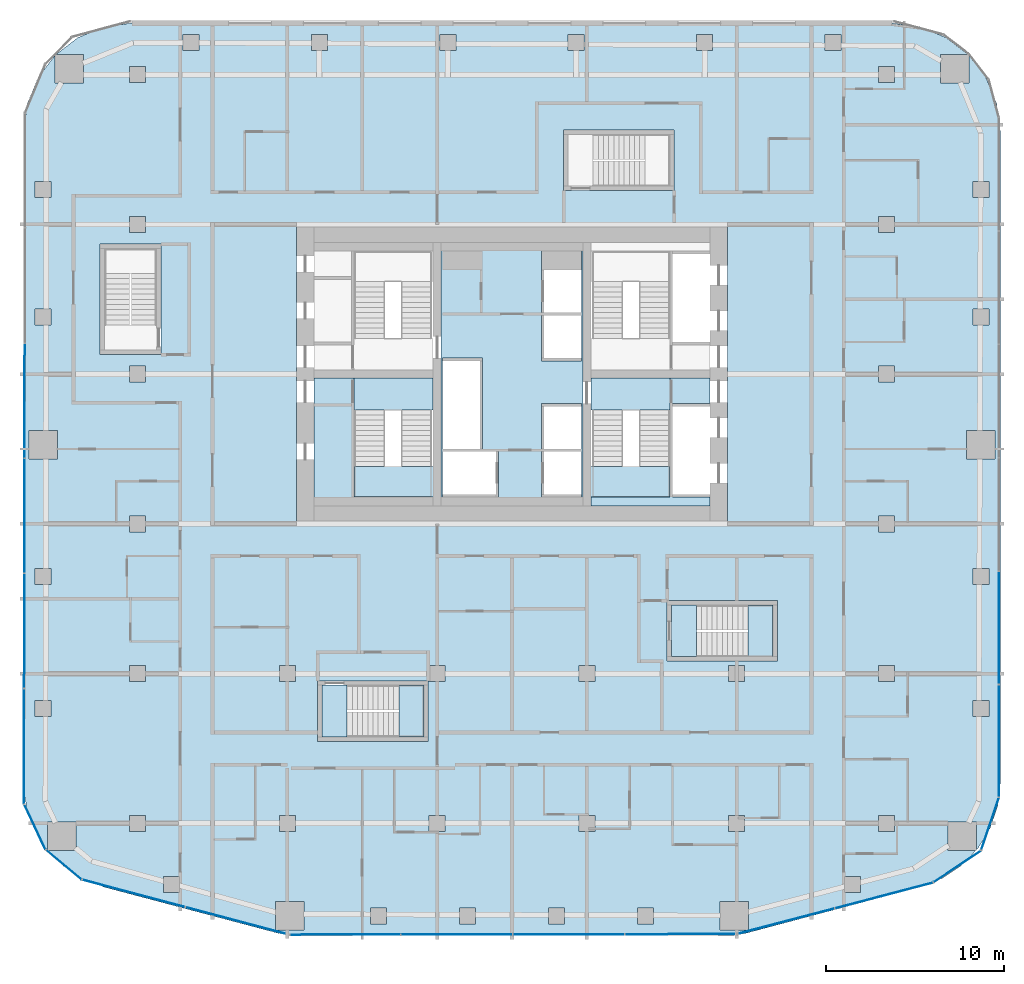
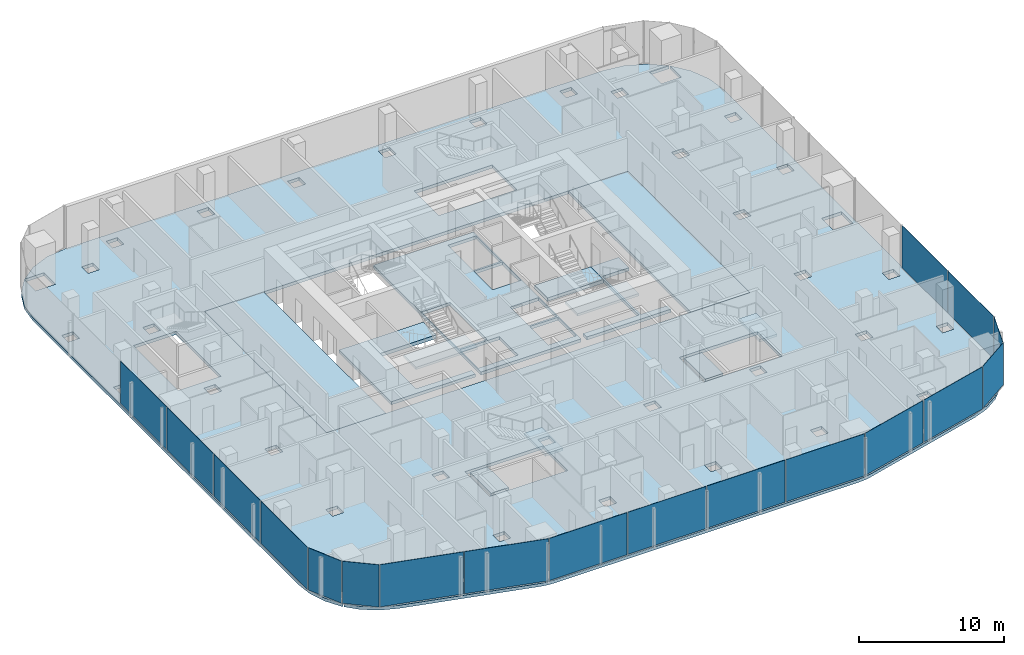
# One storey, part 12 of 23: 18 plates, 14 slabs, 13 elements without a shape of their own.
"""IFC4 building model written with IfcOpenShell, lengths in metres."""

import ifcopenshell
import ifcopenshell.guid

model = None  # the IFC model being written
_history = None  # IfcOwnerHistory: only IFC2X3 demands one
_inside = {}  # id of a spatial element -> (the spatial element, [elements in it])
_under = {}  # id of a project, library or spatial element -> (it, [spatial elements below it])
_declared = {}  # id of a project -> (the project, [libraries it declares])
_typed = {}  # id of a type object -> (the type object, [elements of that type])
_made_of = {}  # id of a material, layer set ... -> (it, [elements and type objects made of it])


def new_model(schema):
    """Start an empty IFC model of exactly this schema.

    Asked for "IFC4X3", IfcOpenShell would pick the latest addendum, in which some entities
    have other attributes; the version numbers below select the first issue.
    IFC2X3 requires an IfcOwnerHistory on every rooted entity: one is made here for all.
    """
    global model, _history
    if schema == "IFC4X3":
        model = ifcopenshell.file(schema_version=(4, 3, 0, 0))
    else:
        model = ifcopenshell.file(schema=schema)
    _inside.clear()
    _under.clear()
    _declared.clear()
    _typed.clear()
    _made_of.clear()
    _history = None
    if model.schema == "IFC2X3":
        org = make("IfcOrganization", Name="unknown")
        user = make(
            "IfcPersonAndOrganization",
            ThePerson=make("IfcPerson", FamilyName="unknown"),
            TheOrganization=org,
        )
        app = make(
            "IfcApplication",
            ApplicationDeveloper=org,
            Version="unknown",
            ApplicationFullName="unknown",
            ApplicationIdentifier="unknown",
        )
        _history = make(
            "IfcOwnerHistory",
            OwningUser=user,
            OwningApplication=app,
            ChangeAction="ADDED",
            CreationDate=0,
        )
    return model


def make(cls, **values):
    """One entity of the class cls with the attributes given. An attribute that is None is left unset."""
    return model.create_entity(
        cls, **{name: value for name, value in values.items() if value is not None}
    )


def rooted(cls, **values):
    """An entity with a GlobalId (a new one), such as an element, a storey or a relation."""
    return make(cls, GlobalId=ifcopenshell.guid.new(), OwnerHistory=_history, **values)


def si_unit(unit_type, name, prefix=None):
    """IfcSIUnit, for example si_unit("LENGTHUNIT", "METRE", prefix="MILLI")."""
    return make("IfcSIUnit", UnitType=unit_type, Prefix=prefix, Name=name)


def assignment(units):
    """IfcUnitAssignment: the units of a project."""
    return None if units is None else make("IfcUnitAssignment", Units=units)


def point(xyz):
    """IfcCartesianPoint."""
    return None if xyz is None else make("IfcCartesianPoint", Coordinates=xyz)


def direction(xyz):
    """IfcDirection."""
    return None if xyz is None else make("IfcDirection", DirectionRatios=xyz)


def frame(location, z_axis=None, x_axis=None):
    """IfcAxis2Placement3D, a coordinate frame: its origin and axes. An axis left out is left unset."""
    return make(
        "IfcAxis2Placement3D",
        Location=point(location),
        Axis=direction(z_axis),
        RefDirection=direction(x_axis),
    )


def frame_2d(location, x_axis=None):
    """IfcAxis2Placement2D, a coordinate frame in the plane: its origin and x axis."""
    return make(
        "IfcAxis2Placement2D", Location=point(location), RefDirection=direction(x_axis)
    )


def origin():
    """The frame at (0, 0, 0) with its axes left unset."""
    return frame((0.0, 0.0, 0.0))


def origin_2d():
    """The frame at (0, 0) in the plane with its x axis left unset."""
    return frame_2d((0.0, 0.0))


def place(relative_to, where):
    """IfcLocalPlacement: puts the frame where relative to a parent placement (None: the world)."""
    return make(
        "IfcLocalPlacement", PlacementRelTo=relative_to, RelativePlacement=where
    )


def context(
    kind, dimensions, precision=None, world=None, true_north=None, identifier=None
):
    """IfcGeometricRepresentationContext, for example the 3D "Model" context."""
    return make(
        "IfcGeometricRepresentationContext",
        ContextIdentifier=identifier,
        ContextType=kind,
        CoordinateSpaceDimension=dimensions,
        Precision=precision,
        WorldCoordinateSystem=world,
        TrueNorth=true_north,
    )


def subcontext(parent, identifier, kind, view, scale=None):
    """IfcGeometricRepresentationSubContext, for example "Body" below "Model"."""
    return make(
        "IfcGeometricRepresentationSubContext",
        ContextIdentifier=identifier,
        ContextType=kind,
        ParentContext=parent,
        TargetScale=scale,
        TargetView=view,
    )


def project(units=None, contexts=None):
    """IfcProject with its units and contexts."""
    return rooted(
        "IfcProject",
        Name="project",
        RepresentationContexts=contexts,
        UnitsInContext=assignment(units),
    )


def spatial(cls, under=None, at=None, **own):
    """A site, building, storey or space (cls), placed at a placement, below another one or the project."""
    s = rooted(cls, ObjectPlacement=at, **own)
    if under is not None:
        _under.setdefault(under.id(), (under, []))[1].append(s)
    return s


def polyline(points):
    """IfcPolyline through the points."""
    return make("IfcPolyline", Points=[point(p) for p in points])


def profile(cls, at=None, kind="AREA", **sizes):
    """A parametric profile (cls). Its sizes go by their IFC names, for example OverallWidth=200.0."""
    return make(cls, ProfileType=kind, Position=at, **sizes)


def rectangle(**sizes):
    """IfcRectangleProfileDef."""
    return profile("IfcRectangleProfileDef", **sizes)


def outline(outer, holes=None, kind="AREA"):
    """IfcArbitraryClosedProfileDef: a profile drawn as a closed curve; with holes, ...WithVoids."""
    if holes is None:
        return make("IfcArbitraryClosedProfileDef", ProfileType=kind, OuterCurve=outer)
    return make(
        "IfcArbitraryProfileDefWithVoids",
        ProfileType=kind,
        OuterCurve=outer,
        InnerCurves=holes,
    )


def extrude(swept, where, along, depth):
    """IfcExtrudedAreaSolid: the profile swept, set in the frame where, extruded along a direction by depth."""
    return make(
        "IfcExtrudedAreaSolid",
        SweptArea=swept,
        Position=where,
        ExtrudedDirection=direction(along),
        Depth=depth,
    )


def shape(context_of_items, identifier, shape_type, items):
    """IfcShapeRepresentation: the items that make up one representation, for example the "Body"."""
    return make(
        "IfcShapeRepresentation",
        ContextOfItems=context_of_items,
        RepresentationIdentifier=identifier,
        RepresentationType=shape_type,
        Items=items,
    )


def material(Name=None, Category=None):
    """IfcMaterial."""
    return make("IfcMaterial", Name=Name, Category=Category)


def layer(
    of_material, thickness, ventilated=None, Name=None, Category=None, Priority=None
):
    """IfcMaterialLayer: one layer of a wall or slab, of a material (None: an air gap)."""
    return make(
        "IfcMaterialLayer",
        Material=of_material,
        LayerThickness=thickness,
        IsVentilated=ventilated,
        Name=Name,
        Category=Category,
        Priority=Priority,
    )


def layer_set(layers, Name=None):
    """IfcMaterialLayerSet."""
    return make("IfcMaterialLayerSet", MaterialLayers=layers, LayerSetName=Name)


def made_of(thing, what):
    """Note that an element or type object is made of a material, layer set ...; save() writes the relation."""
    if what is not None:
        _made_of.setdefault(what.id(), (what, []))[1].append(thing)
    return thing


def type_object(cls, material=None, **own):
    """A type object (cls), such as IfcWallType, which elements share."""
    return made_of(rooted(cls, **own), material)


def element(
    cls,
    number,
    at=None,
    inside=None,
    cuts=None,
    type_object=None,
    material=None,
    context=None,
    identifier="Body",
    shape_type=None,
    held_by="IfcProductDefinitionShape",
    body=None,
    shapes=None,
    **own,
):
    """One element of the class cls, such as IfcWall. Its Tag is "e" and its number.

    at: its placement. inside: the storey or other place that contains it. cuts: it is an
    opening in that element (IfcRelVoidsElement). A single representation is given by context,
    identifier, shape_type and body (its items); several are given by shapes. held_by: the class
    of the entity that holds the representations. save() writes the other relations.
    """
    e = rooted(cls, Tag="e%d" % number, ObjectPlacement=at, **own)
    if body is not None:
        shapes = [shape(context, identifier, shape_type, body)]
    if shapes is not None:
        e.Representation = make(held_by, Representations=shapes)
    if inside is not None:
        _inside.setdefault(inside.id(), (inside, []))[1].append(e)
    if cuts is not None:
        rooted(
            "IfcRelVoidsElement", RelatingBuildingElement=cuts, RelatedOpeningElement=e
        )
    if type_object is not None:
        _typed.setdefault(type_object.id(), (type_object, []))[1].append(e)
    return made_of(e, material)


def aggregate(whole, parts):
    """IfcRelAggregates: a whole, such as a stair, and the parts it consists of."""
    return rooted("IfcRelAggregates", RelatingObject=whole, RelatedObjects=parts)


def save(model, path):
    """Write the relations noted so far, then the file.

    IfcRelAggregates (storeys below a building ...), IfcRelContainedInSpatialStructure (elements
    in a storey), IfcRelDefinesByType, IfcRelAssociatesMaterial and IfcRelDeclares: one each for
    every whole, place, type object, material and project.
    """
    for whole, parts in _under.values():
        aggregate(whole, parts)
    for where, things in _inside.values():
        rooted(
            "IfcRelContainedInSpatialStructure",
            RelatedElements=things,
            RelatingStructure=where,
        )
    for kind, things in _typed.values():
        rooted("IfcRelDefinesByType", RelatedObjects=things, RelatingType=kind)
    for what, things in _made_of.values():
        rooted("IfcRelAssociatesMaterial", RelatedObjects=things, RelatingMaterial=what)
    for by, libraries in _declared.values():
        rooted("IfcRelDeclares", RelatingContext=by, RelatedDefinitions=libraries)
    model.write(path)


model = new_model("IFC4")

# Units and contexts
model_context = context("Model", 3, precision=1e-05, world=origin(), true_north=direction((0.0, 1.0)))
body_context = subcontext(model_context, "Body", "Model", "MODEL_VIEW")
ifc_project = project(units=[si_unit("LENGTHUNIT", "METRE"), si_unit("AREAUNIT", "SQUARE_METRE"), si_unit("VOLUMEUNIT", "CUBIC_METRE"), si_unit("PLANEANGLEUNIT", "RADIAN"), si_unit("MASSUNIT", "GRAM", prefix="KILO")], contexts=[model_context])

# Site, building, storey
site_placement = place(None, origin())
site = spatial("IfcSite", under=ifc_project, at=site_placement, CompositionType="ELEMENT")
building_placement = place(site_placement, origin())
building = spatial("IfcBuilding", under=site, at=building_placement, Name="Marenta Gate Hotel Tower", CompositionType="ELEMENT")
storey_placement = place(building_placement, frame((0.0, 0.0, 162.5)))
storey = spatial("IfcBuildingStorey", under=building, at=storey_placement, Name="L38", CompositionType="ELEMENT", Elevation=162.5)

# Slabs
ifc_material_1 = material(Name="Concrete C35", Category="concrete")
ifc_layer_1 = layer(ifc_material_1, 0.260009765625)
ifc_layer_set_1 = layer_set([ifc_layer_1], Name="Concrete C35")
slab_type_1 = type_object("IfcSlabType", Name="Concrete floor slab 260", PredefinedType="FLOOR", material=ifc_layer_set_1)
slab_1_placement = place(storey_placement, frame((0.0, 0.0, -0.260009765625)))
element("IfcSlab", 1, at=slab_1_placement, inside=storey, type_object=slab_type_1, Name="L38-SL-1", PredefinedType="FLOOR", context=body_context, shape_type="SweptSolid", body=[
    extrude(outline(polyline([(-25.213623046875, -19.1640625), (-26.011474609375, -18.3330078125), (-24.462890625, -18.3330078125), (-24.462890625, -16.73291015625), (-26.06298828125, -16.73291015625), (-26.06298828125, -18.279296875), (-26.13525390625, -18.2041015625), (-26.826904296875, -17.06689453125), (-27.25537109375, -15.80712890625), (-27.39990234375, -14.48974609375), (-27.39990234375, 22.006591796875), (-27.193115234375, 23.5791015625), (-26.58349609375, 25.050537109375), (-25.635498046875, 26.285888671875), (-25.635498046875, 24.735595703125), (-24.035400390625, 24.735595703125), (-24.035400390625, 26.33544921875), (-25.585693359375, 26.33544921875), (-24.350341796875, 27.283447265625), (-22.87890625, 27.89306640625), (-21.306640625, 28.10009765625), (21.306640625, 28.10009765625), (22.87890625, 27.89306640625), (24.350341796875, 27.283447265625), (25.585693359375, 26.33544921875), (24.035400390625, 26.33544921875), (24.035400390625, 24.735595703125), (25.635498046875, 24.735595703125), (25.635498046875, 26.285888671875), (26.58349609375, 25.050537109375), (27.193115234375, 23.5791015625), (27.39990234375, 22.006591796875), (27.39990234375, -14.48974609375), (27.25537109375, -15.80712890625), (26.826904296875, -17.06689453125), (26.13525390625, -18.2041015625), (26.06298828125, -18.279296875), (26.06298828125, -16.73291015625), (24.462890625, -16.73291015625), (24.462890625, -18.3330078125), (26.011474609375, -18.3330078125), (25.213623046875, -19.1640625), (24.105712890625, -19.9013671875), (22.86962890625, -20.37890625), (13.126708984375, -22.963623046875), (12.608642578125, -23.065673828125), (12.08154296875, -23.10009765625), (-12.08154296875, -23.10009765625), (-12.608642578125, -23.065673828125), (-13.126708984375, -22.963623046875), (-22.86962890625, -20.37890625), (-24.105712890625, -19.9013671875), (-25.213623046875, -19.1640625)]), holes=[polyline([(-16.800048828125, 0.0), (16.800048828125, 0.0), (16.800048828125, 16.800048828125), (-16.800048828125, 16.800048828125), (-16.800048828125, 0.0)]), polyline([(-18.65673828125, -19.7890625), (-19.556884765625, -19.7890625), (-19.556884765625, -20.689208984375), (-18.65673828125, -20.689208984375), (-18.65673828125, -19.7890625)]), polyline([(-20.550048828125, -17.25), (-20.550048828125, -16.35009765625), (-21.449951171875, -16.35009765625), (-21.449951171875, -17.25), (-20.550048828125, -17.25)]), polyline([(-12.14990234375, -16.35009765625), (-13.050048828125, -16.35009765625), (-13.050048828125, -17.25), (-12.14990234375, -17.25), (-12.14990234375, -16.35009765625)]), polyline([(-25.85009765625, -10.802001953125), (-25.85009765625, -9.90185546875), (-26.75, -9.90185546875), (-26.75, -10.802001953125), (-25.85009765625, -10.802001953125)]), polyline([(-20.550048828125, -8.85009765625), (-20.550048828125, -7.949951171875), (-21.449951171875, -7.949951171875), (-21.449951171875, -8.85009765625), (-20.550048828125, -8.85009765625)]), polyline([(-25.85009765625, -2.5009765625), (-26.75, -2.5009765625), (-26.75, -3.40087890625), (-25.85009765625, -3.40087890625), (-25.85009765625, -2.5009765625)]), polyline([(-20.550048828125, -0.449951171875), (-20.550048828125, 0.449951171875), (-21.449951171875, 0.449951171875), (-21.449951171875, -0.449951171875), (-20.550048828125, -0.449951171875)]), polyline([(-25.5, 3.64990234375), (-25.5, 5.25), (-27.10009765625, 5.25), (-27.10009765625, 3.64990234375), (-25.5, 3.64990234375)]), polyline([(-20.550048828125, 8.85009765625), (-21.449951171875, 8.85009765625), (-21.449951171875, 7.949951171875), (-20.550048828125, 7.949951171875), (-20.550048828125, 8.85009765625)]), polyline([(-25.85009765625, 11.1533203125), (-25.85009765625, 12.05322265625), (-26.75, 12.05322265625), (-26.75, 11.1533203125), (-25.85009765625, 11.1533203125)]), polyline([(-20.550048828125, 16.35009765625), (-20.550048828125, 17.25), (-21.449951171875, 17.25), (-21.449951171875, 16.35009765625), (-20.550048828125, 16.35009765625)]), polyline([(-25.85009765625, 19.206298828125), (-26.75, 19.206298828125), (-26.75, 18.306396484375), (-25.85009765625, 18.306396484375), (-25.85009765625, 19.206298828125)]), polyline([(-20.550048828125, 24.75), (-20.550048828125, 25.64990234375), (-21.449951171875, 25.64990234375), (-21.449951171875, 24.75), (-20.550048828125, 24.75)]), polyline([(-17.556884765625, 27.449951171875), (-18.456787109375, 27.449951171875), (-18.456787109375, 26.550048828125), (-17.556884765625, 26.550048828125), (-17.556884765625, 27.449951171875)]), polyline([(-7.030029296875, -22.449951171875), (-7.030029296875, -21.550048828125), (-7.93017578125, -21.550048828125), (-7.93017578125, -22.449951171875), (-7.030029296875, -22.449951171875)]), polyline([(-2.04345703125, -22.449951171875), (-2.04345703125, -21.550048828125), (-2.943359375, -21.550048828125), (-2.943359375, -22.449951171875), (-2.04345703125, -22.449951171875)]), polyline([(2.943359375, -21.550048828125), (2.04345703125, -21.550048828125), (2.04345703125, -22.449951171875), (2.943359375, -22.449951171875), (2.943359375, -21.550048828125)]), polyline([(7.93017578125, -22.449951171875), (7.93017578125, -21.550048828125), (7.030029296875, -21.550048828125), (7.030029296875, -22.449951171875), (7.93017578125, -22.449951171875)]), polyline([(-11.666259765625, -22.77490234375), (-11.666259765625, -21.1748046875), (-13.266357421875, -21.1748046875), (-13.266357421875, -22.77490234375), (-11.666259765625, -22.77490234375)]), polyline([(13.266357421875, -21.1748046875), (11.666259765625, -21.1748046875), (11.666259765625, -22.77490234375), (13.266357421875, -22.77490234375), (13.266357421875, -21.1748046875)]), polyline([(-3.75, -17.25), (-3.75, -16.35009765625), (-4.64990234375, -16.35009765625), (-4.64990234375, -17.25), (-3.75, -17.25)]), polyline([(4.64990234375, -17.25), (4.64990234375, -16.35009765625), (3.75, -16.35009765625), (3.75, -17.25), (4.64990234375, -17.25)]), polyline([(13.050048828125, -16.35009765625), (12.14990234375, -16.35009765625), (12.14990234375, -17.25), (13.050048828125, -17.25), (13.050048828125, -16.35009765625)]), polyline([(-12.14990234375, -8.85009765625), (-12.14990234375, -7.949951171875), (-13.050048828125, -7.949951171875), (-13.050048828125, -8.85009765625), (-12.14990234375, -8.85009765625)]), polyline([(-3.75, -8.85009765625), (-3.75, -7.949951171875), (-4.64990234375, -7.949951171875), (-4.64990234375, -8.85009765625), (-3.75, -8.85009765625)]), polyline([(4.64990234375, -7.949951171875), (3.75, -7.949951171875), (3.75, -8.85009765625), (4.64990234375, -8.85009765625), (4.64990234375, -7.949951171875)]), polyline([(-10.35400390625, 26.550048828125), (-10.35400390625, 27.449951171875), (-11.254150390625, 27.449951171875), (-11.254150390625, 26.550048828125), (-10.35400390625, 26.550048828125)]), polyline([(-3.1513671875, 26.550048828125), (-3.1513671875, 27.449951171875), (-4.051513671875, 27.449951171875), (-4.051513671875, 26.550048828125), (-3.1513671875, 26.550048828125)]), polyline([(4.051513671875, 27.449951171875), (3.1513671875, 27.449951171875), (3.1513671875, 26.550048828125), (4.051513671875, 26.550048828125), (4.051513671875, 27.449951171875)]), polyline([(11.254150390625, 26.550048828125), (11.254150390625, 27.449951171875), (10.35400390625, 27.449951171875), (10.35400390625, 26.550048828125), (11.254150390625, 26.550048828125)]), polyline([(19.556884765625, -20.689208984375), (19.556884765625, -19.7890625), (18.65673828125, -19.7890625), (18.65673828125, -20.689208984375), (19.556884765625, -20.689208984375)]), polyline([(21.449951171875, -17.25), (21.449951171875, -16.35009765625), (20.550048828125, -16.35009765625), (20.550048828125, -17.25), (21.449951171875, -17.25)]), polyline([(26.75, -10.802001953125), (26.75, -9.90185546875), (25.85009765625, -9.90185546875), (25.85009765625, -10.802001953125), (26.75, -10.802001953125)]), polyline([(13.050048828125, -7.949951171875), (12.14990234375, -7.949951171875), (12.14990234375, -8.85009765625), (13.050048828125, -8.85009765625), (13.050048828125, -7.949951171875)]), polyline([(21.449951171875, -8.85009765625), (21.449951171875, -7.949951171875), (20.550048828125, -7.949951171875), (20.550048828125, -8.85009765625), (21.449951171875, -8.85009765625)]), polyline([(26.75, -3.40087890625), (26.75, -2.5009765625), (25.85009765625, -2.5009765625), (25.85009765625, -3.40087890625), (26.75, -3.40087890625)]), polyline([(21.449951171875, 0.449951171875), (20.550048828125, 0.449951171875), (20.550048828125, -0.449951171875), (21.449951171875, -0.449951171875), (21.449951171875, 0.449951171875)]), polyline([(27.10009765625, 3.64990234375), (27.10009765625, 5.25), (25.5, 5.25), (25.5, 3.64990234375), (27.10009765625, 3.64990234375)]), polyline([(21.449951171875, 7.949951171875), (21.449951171875, 8.85009765625), (20.550048828125, 8.85009765625), (20.550048828125, 7.949951171875), (21.449951171875, 7.949951171875)]), polyline([(26.75, 12.05322265625), (25.85009765625, 12.05322265625), (25.85009765625, 11.1533203125), (26.75, 11.1533203125), (26.75, 12.05322265625)]), polyline([(21.449951171875, 16.35009765625), (21.449951171875, 17.25), (20.550048828125, 17.25), (20.550048828125, 16.35009765625), (21.449951171875, 16.35009765625)]), polyline([(26.75, 18.306396484375), (26.75, 19.206298828125), (25.85009765625, 19.206298828125), (25.85009765625, 18.306396484375), (26.75, 18.306396484375)]), polyline([(21.449951171875, 25.64990234375), (20.550048828125, 25.64990234375), (20.550048828125, 24.75), (21.449951171875, 24.75), (21.449951171875, 25.64990234375)]), polyline([(18.456787109375, 26.550048828125), (18.456787109375, 27.449951171875), (17.556884765625, 27.449951171875), (17.556884765625, 26.550048828125), (18.456787109375, 26.550048828125)]), polyline([(-10.89990234375, -12.199951171875), (-4.699951171875, -12.199951171875), (-4.699951171875, -8.800048828125), (-10.89990234375, -8.800048828125), (-10.89990234375, -12.199951171875)]), polyline([(8.699951171875, -7.699951171875), (14.89990234375, -7.699951171875), (14.89990234375, -4.300048828125), (8.699951171875, -4.300048828125), (8.699951171875, -7.699951171875)]), polyline([(-23.10009765625, 9.5), (-19.699951171875, 9.5), (-19.699951171875, 15.699951171875), (-23.10009765625, 15.699951171875), (-23.10009765625, 9.5)]), polyline([(2.89990234375, 18.699951171875), (9.10009765625, 18.699951171875), (9.10009765625, 22.10009765625), (2.89990234375, 22.10009765625), (2.89990234375, 18.699951171875)])]), origin(), (0.0, 0.0, 1.0), 0.260009765625),
])
ifc_material_2 = material(Name="Concrete C40", Category="concrete")
ifc_layer_2 = layer(ifc_material_2, 0.260009765625)
ifc_layer_set_2 = layer_set([ifc_layer_2], Name="Concrete C40")
slab_type_2 = type_object("IfcSlabType", Name="Core floor slab 260", PredefinedType="FLOOR", material=ifc_layer_set_2)
slab_2_placement = place(storey_placement, frame((0.0, 0.0, -0.260009765625)))
element("IfcSlab", 2, at=slab_2_placement, inside=storey, type_object=slab_type_2, Name="L38-CF-1", PredefinedType="FLOOR", context=body_context, shape_type="SweptSolid", body=[
    extrude(outline(polyline([(12.10009765625, 0.0), (12.10009765625, 16.800048828125), (16.800048828125, 16.800048828125), (16.800048828125, 0.0), (12.10009765625, 0.0)])), origin(), (0.0, 0.0, 1.0), 0.260009765625),
])
slab_3_placement = place(storey_placement, frame((0.0, 0.0, -0.260009765625)))
element("IfcSlab", 3, at=slab_3_placement, inside=storey, type_object=slab_type_2, Name="L38-CF-2", PredefinedType="FLOOR", context=body_context, shape_type="SweptSolid", body=[
    extrude(outline(polyline([(8.85009765625, 1.5), (8.85009765625, 6.39990234375), (8.85009765625, 8.10009765625), (8.85009765625, 8.175048828125), (11.10009765625, 8.175048828125), (11.10009765625, 6.75), (9.0, 6.75), (9.0, 6.60009765625), (9.0, 4.199951171875), (9.0, 4.050048828125), (9.0, 1.64990234375), (9.0, 1.5), (11.10009765625, 1.5), (11.10009765625, 1.0), (4.425048828125, 1.0), (4.425048828125, 1.5), (8.85009765625, 1.5)])), origin(), (0.0, 0.0, 1.0), 0.260009765625),
])
slab_4_placement = place(storey_placement, frame((0.0, 0.0, -0.260009765625)))
element("IfcSlab", 4, at=slab_4_placement, inside=storey, type_object=slab_type_2, Name="L38-CF-4", PredefinedType="FLOOR", context=body_context, shape_type="SweptSolid", body=[
    extrude(outline(polyline([(3.97509765625, 15.300048828125), (3.97509765625, 10.39990234375), (3.97509765625, 6.39990234375), (3.97509765625, 1.5), (3.97509765625, 1.0), (-3.97509765625, 1.0), (-3.97509765625, 1.5), (-3.97509765625, 6.39990234375), (-3.97509765625, 10.39990234375), (-3.97509765625, 15.300048828125), (-3.97509765625, 15.800048828125), (3.97509765625, 15.800048828125), (3.97509765625, 15.300048828125)]), holes=[polyline([(1.64990234375, 1.5), (3.89990234375, 1.5), (3.89990234375, 1.64990234375), (3.89990234375, 4.050048828125), (1.800048828125, 4.050048828125), (1.64990234375, 4.050048828125), (1.64990234375, 1.64990234375), (1.64990234375, 1.5)]), polyline([(1.64990234375, 6.60009765625), (1.64990234375, 4.199951171875), (1.800048828125, 4.199951171875), (3.89990234375, 4.199951171875), (3.89990234375, 6.60009765625), (3.89990234375, 6.75), (1.64990234375, 6.75), (1.64990234375, 6.60009765625)]), polyline([(1.64990234375, 9.14990234375), (3.89990234375, 9.14990234375), (3.89990234375, 9.300048828125), (3.89990234375, 11.699951171875), (1.800048828125, 11.699951171875), (1.64990234375, 11.699951171875), (1.64990234375, 9.300048828125), (1.64990234375, 9.14990234375)]), polyline([(1.64990234375, 15.300048828125), (1.64990234375, 14.25), (1.64990234375, 11.85009765625), (1.800048828125, 11.85009765625), (3.89990234375, 11.85009765625), (3.89990234375, 14.25), (3.89990234375, 15.300048828125), (1.64990234375, 15.300048828125)]), polyline([(-3.89990234375, 4.050048828125), (-3.89990234375, 1.64990234375), (-3.89990234375, 1.5), (-0.89990234375, 1.5), (-0.75, 1.5), (-0.75, 4.050048828125), (-0.89990234375, 4.050048828125), (-3.89990234375, 4.050048828125)]), polyline([(-1.800048828125, 4.199951171875), (-1.64990234375, 4.199951171875), (-1.64990234375, 9.14990234375), (-1.64990234375, 9.300048828125), (-3.89990234375, 9.300048828125), (-3.89990234375, 9.14990234375), (-3.89990234375, 6.75), (-3.89990234375, 6.60009765625), (-3.89990234375, 4.199951171875), (-1.800048828125, 4.199951171875)])]), origin(), (0.0, 0.0, 1.0), 0.260009765625),
])
slab_5_placement = place(storey_placement, frame((0.0, 0.0, -0.260009765625)))
element("IfcSlab", 5, at=slab_5_placement, inside=storey, type_object=slab_type_2, Name="L38-CF-5", PredefinedType="FLOOR", context=body_context, shape_type="SweptSolid", body=[
    extrude(outline(polyline([(-8.85009765625, 8.175048828125), (-8.85009765625, 8.10009765625), (-8.85009765625, 6.39990234375), (-8.85009765625, 1.5), (-4.425048828125, 1.5), (-4.425048828125, 1.0), (-11.10009765625, 1.0), (-11.10009765625, 8.175048828125), (-8.85009765625, 8.175048828125)])), origin(), (0.0, 0.0, 1.0), 0.260009765625),
])
slab_6_placement = place(storey_placement, frame((0.0, 0.0, -0.260009765625)))
element("IfcSlab", 6, at=slab_6_placement, inside=storey, type_object=slab_type_2, Name="L38-CF-7", PredefinedType="FLOOR", context=body_context, shape_type="SweptSolid", body=[
    extrude(outline(polyline([(-12.10009765625, 16.800048828125), (-12.10009765625, 0.0), (-16.800048828125, 0.0), (-16.800048828125, 16.800048828125), (-12.10009765625, 16.800048828125)])), origin(), (0.0, 0.0, 1.0), 0.260009765625),
])

# Stair, slab
ifc_material_3 = material(Name="Concrete C40", Category="concrete")
stair_type_1 = type_object("IfcStairType", Name="Core exit stair 1700 wide", PredefinedType="HALF_TURN_STAIR", material=ifc_material_3)
stair_1_placement = place(storey_placement, origin())
stair_1 = element("IfcStair", 7, at=stair_1_placement, inside=storey, type_object=stair_type_1, Name="Exit stair 1", PredefinedType="HALF_TURN_STAIR")
ifc_material_4 = material(Name="Concrete C40", Category="concrete")
ifc_layer_3 = layer(ifc_material_4, 0.199951171875)
ifc_layer_set_3 = layer_set([ifc_layer_3], Name="Concrete C40")
slab_type_3 = type_object("IfcSlabType", Name="Core stair landing 200", PredefinedType="LANDING", material=ifc_layer_set_3)
slab_7_placement = place(storey_placement, frame((0.0, 0.0, 1.60009765625)))
slab_7 = element("IfcSlab", 8, at=slab_7_placement, type_object=slab_type_3, Name="SL-200 ST1 landing 1", PredefinedType="LANDING", context=body_context, shape_type="SweptSolid", body=[
    extrude(outline(polyline([(-8.85009765625, 1.5), (-3.97509765625, 1.5), (-3.97509765625, 3.2099609375), (-8.85009765625, 3.2099609375), (-8.85009765625, 1.5)])), origin(), (0.0, 0.0, 1.0), 0.199951171875),
])
aggregate(stair_1, [slab_7])

stair_2_placement = place(storey_placement, origin())
stair_2 = element("IfcStair", 9, at=stair_2_placement, inside=storey, type_object=stair_type_1, Name="Exit stair 3", PredefinedType="HALF_TURN_STAIR")
slab_8_placement = place(storey_placement, frame((0.0, 0.0, 1.60009765625)))
slab_8 = element("IfcSlab", 10, at=slab_8_placement, type_object=slab_type_3, Name="SL-200 ST3 landing 1", PredefinedType="LANDING", context=body_context, shape_type="SweptSolid", body=[
    extrude(outline(polyline([(3.97509765625, 1.5), (8.85009765625, 1.5), (8.85009765625, 3.2099609375), (3.97509765625, 3.2099609375), (3.97509765625, 1.5)])), origin(), (0.0, 0.0, 1.0), 0.199951171875),
])
aggregate(stair_2, [slab_8])

# Curtain wall, plates
ifc_material_5 = material(Name="Tinted insulated glass in bronze anodised frame", Category="glass")
ifc_layer_4 = layer(ifc_material_5, 0.1201171875)
ifc_layer_set_4 = layer_set([ifc_layer_4], Name="Tinted insulated glass in bronze anodised frame")
curtain_wall_type = type_object("IfcCurtainWallType", Name="Tower unitised curtain wall CW1", PredefinedType="NOTDEFINED", material=ifc_layer_set_4)
curtain_wall_1_placement = place(storey_placement, origin())
curtain_wall_1 = element("IfcCurtainWall", 11, at=curtain_wall_1_placement, inside=storey, type_object=curtain_wall_type, Name="CW1 run G03", PredefinedType="NOTDEFINED")
ifc_material_6 = material(Name="Tinted insulated glass", Category="glass")
ifc_layer_5 = layer(ifc_material_6, 0.028076171875)
ifc_layer_set_5 = layer_set([ifc_layer_5], Name="Tinted insulated glass")
plate_type = type_object("IfcPlateType", Name="Glass panel CW1 28 mm tinted insulated unit", PredefinedType="CURTAIN_PANEL", material=ifc_layer_set_5)
plate_1_placement = place(storey_placement, frame((-27.337646484375, 6.916259765625, 0.06005859375), z_axis=(0.0, 0.0, 1.0), x_axis=(-0.001566045546, -0.99999877375, 0.0)))
plate_1 = element("IfcPlate", 12, at=plate_1_placement, type_object=plate_type, Name="CW1 panel 3.1", PredefinedType="CURTAIN_PANEL", context=body_context, shape_type="SweptSolid", body=[
    extrude(rectangle(XDim=6.39990234375, YDim=0.028076171875, at=origin_2d()), origin(), (0.0, 0.0, 1.0), 3.5400390625),
])
plate_2_placement = place(storey_placement, frame((-27.34765625, 0.456298828125, 0.06005859375), z_axis=(0.0, 0.0, 1.0), x_axis=(-0.001566045546, -0.99999877375, 0.0)))
plate_2 = element("IfcPlate", 13, at=plate_2_placement, type_object=plate_type, Name="CW1 panel 4.1", PredefinedType="CURTAIN_PANEL", context=body_context, shape_type="SweptSolid", body=[
    extrude(rectangle(XDim=6.39990234375, YDim=0.028076171875, at=origin_2d()), origin(), (0.0, 0.0, 1.0), 3.5400390625),
])
plate_3_placement = place(storey_placement, frame((-27.35791015625, -6.00390625, 0.06005859375), z_axis=(0.0, 0.0, 1.0), x_axis=(-0.001566045546, -0.99999877375, 0.0)))
plate_3 = element("IfcPlate", 14, at=plate_3_placement, type_object=plate_type, Name="CW1 panel 5.1", PredefinedType="CURTAIN_PANEL", context=body_context, shape_type="SweptSolid", body=[
    extrude(rectangle(XDim=6.39990234375, YDim=0.028076171875, at=origin_2d()), origin(), (0.0, 0.0, 1.0), 3.5400390625),
])
plate_4_placement = place(storey_placement, frame((-27.367919921875, -12.478759765625, 0.06005859375), z_axis=(0.0, 0.0, 1.0), x_axis=(-0.001566045546, -0.99999877375, 0.0)))
plate_4 = element("IfcPlate", 15, at=plate_4_placement, type_object=plate_type, Name="CW1 panel 6.1", PredefinedType="CURTAIN_PANEL", context=body_context, shape_type="SweptSolid", body=[
    extrude(rectangle(XDim=6.429931640625, YDim=0.028076171875, at=origin_2d()), origin(), (0.0, 0.0, 1.0), 3.5400390625),
])
aggregate(curtain_wall_1, [plate_1, plate_2, plate_3, plate_4])

# Curtain wall, plate
curtain_wall_2_placement = place(storey_placement, origin())
curtain_wall_2 = element("IfcCurtainWall", 16, at=curtain_wall_2_placement, inside=storey, type_object=curtain_wall_type, Name="CW1 run G04", PredefinedType="NOTDEFINED")
plate_5_placement = place(storey_placement, frame((-26.76123046875, -17.0029296875, 0.06005859375), z_axis=(0.0, 0.0, 1.0), x_axis=(0.423338088163, -0.905971778319, 0.0)))
plate_5 = element("IfcPlate", 17, at=plate_5_placement, type_object=plate_type, Name="CW1 panel 1.1", PredefinedType="CURTAIN_PANEL", context=body_context, shape_type="SweptSolid", body=[
    extrude(rectangle(XDim=2.77001953125, YDim=0.028076171875, at=origin_2d()), origin(), (0.0, 0.0, 1.0), 3.5400390625),
])
aggregate(curtain_wall_2, [plate_5])

curtain_wall_3_placement = place(storey_placement, origin())
curtain_wall_3 = element("IfcCurtainWall", 18, at=curtain_wall_3_placement, inside=storey, type_object=curtain_wall_type, Name="CW1 run G05", PredefinedType="NOTDEFINED")
plate_6_placement = place(storey_placement, frame((-25.14111328125, -19.1220703125, 0.06005859375), z_axis=(0.0, 0.0, 1.0), x_axis=(0.767112858807, -0.641512168126, 0.0)))
plate_6 = element("IfcPlate", 19, at=plate_6_placement, type_object=plate_type, Name="CW1 panel 1.1", PredefinedType="CURTAIN_PANEL", context=body_context, shape_type="SweptSolid", body=[
    extrude(rectangle(XDim=2.5751953125, YDim=0.028076171875, at=origin_2d()), origin(), (0.0, 0.0, 1.0), 3.5400390625),
])
aggregate(curtain_wall_3, [plate_6])

# Curtain wall, plates
curtain_wall_4_placement = place(storey_placement, origin())
curtain_wall_4 = element("IfcCurtainWall", 20, at=curtain_wall_4_placement, inside=storey, type_object=curtain_wall_type, Name="CW1 run G06", PredefinedType="NOTDEFINED")
plate_7_placement = place(storey_placement, frame((-21.22705078125, -20.726806640625, 0.06005859375), z_axis=(0.0, 0.0, 1.0), x_axis=(0.966373195468, -0.257143631229, 0.0)))
plate_7 = element("IfcPlate", 21, at=plate_7_placement, type_object=plate_type, Name="CW1 panel 1.1", PredefinedType="CURTAIN_PANEL", context=body_context, shape_type="SweptSolid", body=[
    extrude(rectangle(XDim=5.936279296875, YDim=0.028076171875, at=origin_2d()), origin(), (0.0, 0.0, 1.0), 3.5400390625),
])
plate_8_placement = place(storey_placement, frame((-15.4033203125, -22.276611328125, 0.06005859375), z_axis=(0.0, 0.0, 1.0), x_axis=(0.966373195468, -0.257143631229, 0.0)))
plate_8 = element("IfcPlate", 22, at=plate_8_placement, type_object=plate_type, Name="CW1 panel 2.1", PredefinedType="CURTAIN_PANEL", context=body_context, shape_type="SweptSolid", body=[
    extrude(rectangle(XDim=5.996337890625, YDim=0.028076171875, at=origin_2d()), origin(), (0.0, 0.0, 1.0), 3.5400390625),
])
aggregate(curtain_wall_4, [plate_7, plate_8])

curtain_wall_5_placement = place(storey_placement, origin())
curtain_wall_5 = element("IfcCurtainWall", 23, at=curtain_wall_5_placement, inside=storey, type_object=curtain_wall_type, Name="CW1 run G07", PredefinedType="NOTDEFINED")
plate_9_placement = place(storey_placement, frame((-9.35302734375, -23.043212890625, 0.06005859375), z_axis=(0.0, 0.0, 1.0), x_axis=(0.999999072004, 0.001362347707, 0.0)))
plate_9 = element("IfcPlate", 24, at=plate_9_placement, type_object=plate_type, Name="CW1 panel 1.1", PredefinedType="CURTAIN_PANEL", context=body_context, shape_type="SweptSolid", body=[
    extrude(rectangle(XDim=6.18603515625, YDim=0.028076171875, at=origin_2d()), origin(), (0.0, 0.0, 1.0), 3.5400390625),
])
plate_10_placement = place(storey_placement, frame((-3.092041015625, -23.03466796875, 0.06005859375), z_axis=(0.0, 0.0, 1.0), x_axis=(0.999999072004, 0.001362347707, 0.0)))
plate_10 = element("IfcPlate", 25, at=plate_10_placement, type_object=plate_type, Name="CW1 panel 2.1", PredefinedType="CURTAIN_PANEL", context=body_context, shape_type="SweptSolid", body=[
    extrude(rectangle(XDim=6.2158203125, YDim=0.028076171875, at=origin_2d()), origin(), (0.0, 0.0, 1.0), 3.5400390625),
])
plate_11_placement = place(storey_placement, frame((3.183837890625, -23.026123046875, 0.06005859375), z_axis=(0.0, 0.0, 1.0), x_axis=(0.999999072004, 0.001362347707, 0.0)))
plate_11 = element("IfcPlate", 26, at=plate_11_placement, type_object=plate_type, Name="CW1 panel 3.1", PredefinedType="CURTAIN_PANEL", context=body_context, shape_type="SweptSolid", body=[
    extrude(rectangle(XDim=6.2158203125, YDim=0.028076171875, at=origin_2d()), origin(), (0.0, 0.0, 1.0), 3.5400390625),
])
plate_12_placement = place(storey_placement, frame((9.474853515625, -23.017578125, 0.06005859375), z_axis=(0.0, 0.0, 1.0), x_axis=(0.999999072004, 0.001362347707, 0.0)))
plate_12 = element("IfcPlate", 27, at=plate_12_placement, type_object=plate_type, Name="CW1 panel 4.1", PredefinedType="CURTAIN_PANEL", context=body_context, shape_type="SweptSolid", body=[
    extrude(rectangle(XDim=6.245849609375, YDim=0.028076171875, at=origin_2d()), origin(), (0.0, 0.0, 1.0), 3.5400390625),
])
aggregate(curtain_wall_5, [plate_9, plate_10, plate_11, plate_12])

curtain_wall_6_placement = place(storey_placement, origin())
curtain_wall_6 = element("IfcCurtainWall", 28, at=curtain_wall_6_placement, inside=storey, type_object=curtain_wall_type, Name="CW1 run G08", PredefinedType="NOTDEFINED")
plate_13_placement = place(storey_placement, frame((15.36474609375, -22.28857421875, 0.06005859375), z_axis=(0.0, 0.0, 1.0), x_axis=(0.967368326473, 0.253374270473, 0.0)))
plate_13 = element("IfcPlate", 29, at=plate_13_placement, type_object=plate_type, Name="CW1 panel 1.1", PredefinedType="CURTAIN_PANEL", context=body_context, shape_type="SweptSolid", body=[
    extrude(rectangle(XDim=5.6005859375, YDim=0.028076171875, at=origin_2d()), origin(), (0.0, 0.0, 1.0), 3.5400390625),
])
plate_14_placement = place(storey_placement, frame((20.86962890625, -20.8466796875, 0.06005859375), z_axis=(0.0, 0.0, 1.0), x_axis=(0.967368326473, 0.253374270473, 0.0)))
plate_14 = element("IfcPlate", 30, at=plate_14_placement, type_object=plate_type, Name="CW1 panel 2.1", PredefinedType="CURTAIN_PANEL", context=body_context, shape_type="SweptSolid", body=[
    extrude(rectangle(XDim=5.66064453125, YDim=0.028076171875, at=origin_2d()), origin(), (0.0, 0.0, 1.0), 3.5400390625),
])
aggregate(curtain_wall_6, [plate_13, plate_14])

# Curtain wall, plate
curtain_wall_7_placement = place(storey_placement, origin())
curtain_wall_7 = element("IfcCurtainWall", 31, at=curtain_wall_7_placement, inside=storey, type_object=curtain_wall_type, Name="CW1 run G09", PredefinedType="NOTDEFINED")
plate_15_placement = place(storey_placement, frame((24.981201171875, -19.215576171875, 0.06005859375), z_axis=(0.0, 0.0, 1.0), x_axis=(0.832505857051, 0.554016243423, 0.0)))
plate_15 = element("IfcPlate", 32, at=plate_15_placement, type_object=plate_type, Name="CW1 panel 1.1", PredefinedType="CURTAIN_PANEL", context=body_context, shape_type="SweptSolid", body=[
    extrude(rectangle(XDim=3.179931640625, YDim=0.028076171875, at=origin_2d()), origin(), (0.0, 0.0, 1.0), 3.5400390625),
])
aggregate(curtain_wall_7, [plate_15])

curtain_wall_8_placement = place(storey_placement, origin())
curtain_wall_8 = element("IfcCurtainWall", 33, at=curtain_wall_8_placement, inside=storey, type_object=curtain_wall_type, Name="CW1 run G10", PredefinedType="NOTDEFINED")
plate_16_placement = place(storey_placement, frame((26.819091796875, -16.822998046875, 0.06005859375), z_axis=(0.0, 0.0, 1.0), x_axis=(0.322033173773, 0.946728385013, 0.0)))
plate_16 = element("IfcPlate", 34, at=plate_16_placement, type_object=plate_type, Name="CW1 panel 1.1", PredefinedType="CURTAIN_PANEL", context=body_context, shape_type="SweptSolid", body=[
    extrude(rectangle(XDim=3.073486328125, YDim=0.028076171875, at=origin_2d()), origin(), (0.0, 0.0, 1.0), 3.5400390625),
])
aggregate(curtain_wall_8, [plate_16])

# Curtain wall, plates
curtain_wall_9_placement = place(storey_placement, origin())
curtain_wall_9 = element("IfcCurtainWall", 35, at=curtain_wall_9_placement, inside=storey, type_object=curtain_wall_type, Name="CW1 run G11", PredefinedType="NOTDEFINED")
plate_17_placement = place(storey_placement, frame((27.31396484375, -12.173095703125, 0.06005859375), z_axis=(0.0, 0.0, 1.0), x_axis=(0.0, 1.0, 0.0)))
plate_17 = element("IfcPlate", 36, at=plate_17_placement, type_object=plate_type, Name="CW1 panel 1.1", PredefinedType="CURTAIN_PANEL", context=body_context, shape_type="SweptSolid", body=[
    extrude(rectangle(XDim=6.27001953125, YDim=0.028076171875, at=origin_2d()), origin(), (0.0, 0.0, 1.0), 3.5400390625),
])
plate_18_placement = place(storey_placement, frame((27.31396484375, -5.828125, 0.06005859375), z_axis=(0.0, 0.0, 1.0), x_axis=(0.0, 1.0, 0.0)))
plate_18 = element("IfcPlate", 37, at=plate_18_placement, type_object=plate_type, Name="CW1 panel 2.1", PredefinedType="CURTAIN_PANEL", context=body_context, shape_type="SweptSolid", body=[
    extrude(rectangle(XDim=6.300048828125, YDim=0.028076171875, at=origin_2d()), origin(), (0.0, 0.0, 1.0), 3.5400390625),
])
aggregate(curtain_wall_9, [plate_17, plate_18])

# Stair, slab
ifc_material_7 = material(Name="Concrete C40", Category="concrete")
stair_type_2 = type_object("IfcStairType", Name="Remote exit stair 1400 wide", PredefinedType="HALF_TURN_STAIR", material=ifc_material_7)
stair_3_placement = place(storey_placement, origin())
stair_3 = element("IfcStair", 38, at=stair_3_placement, inside=storey, type_object=stair_type_2, Name="Exit stair RS-Z2-1", PredefinedType="HALF_TURN_STAIR")
ifc_material_8 = material(Name="Concrete C40", Category="concrete")
ifc_layer_6 = layer(ifc_material_8, 0.199951171875)
ifc_layer_set_6 = layer_set([ifc_layer_6], Name="Concrete C40")
slab_type_4 = type_object("IfcSlabType", Name="Remote stair landing 200", PredefinedType="LANDING", material=ifc_layer_set_6)
slab_9_placement = place(storey_placement, frame((0.0, 0.0, 1.60009765625)))
slab_9 = element("IfcSlab", 39, at=slab_9_placement, type_object=slab_type_4, Name="RL-200 RS-Z2-1 landing 1", PredefinedType="LANDING", context=body_context, shape_type="SweptSolid", body=[
    extrude(outline(polyline([(-6.35009765625, -11.949951171875), (-4.949951171875, -11.949951171875), (-4.949951171875, -9.050048828125), (-6.35009765625, -9.050048828125), (-6.35009765625, -11.949951171875)])), origin(), (0.0, 0.0, 1.0), 0.199951171875),
])
aggregate(stair_3, [slab_9])

stair_4_placement = place(storey_placement, origin())
stair_4 = element("IfcStair", 40, at=stair_4_placement, inside=storey, type_object=stair_type_2, Name="Exit stair RS-Z2-2", PredefinedType="HALF_TURN_STAIR")
slab_10_placement = place(storey_placement, frame((0.0, 0.0, 1.60009765625)))
slab_10 = element("IfcSlab", 41, at=slab_10_placement, type_object=slab_type_4, Name="RL-200 RS-Z2-2 landing 1", PredefinedType="LANDING", context=body_context, shape_type="SweptSolid", body=[
    extrude(outline(polyline([(13.25, -7.449951171875), (14.64990234375, -7.449951171875), (14.64990234375, -4.550048828125), (13.25, -4.550048828125), (13.25, -7.449951171875)])), origin(), (0.0, 0.0, 1.0), 0.199951171875),
])
aggregate(stair_4, [slab_10])

# Slabs
ifc_material_9 = material(Name="Concrete C40", Category="concrete")
ifc_layer_7 = layer(ifc_material_9, 0.300048828125)
ifc_layer_set_7 = layer_set([ifc_layer_7], Name="Concrete C40")
slab_type_5 = type_object("IfcSlabType", Name="Stair floor landing slab 300", PredefinedType="FLOOR", material=ifc_layer_set_7)
slab_11_placement = place(storey_placement, frame((0.0, 0.0, -0.300048828125)))
element("IfcSlab", 42, at=slab_11_placement, inside=storey, type_object=slab_type_5, Name="L38-CL-ST1-1", PredefinedType="FLOOR", context=body_context, shape_type="SweptSolid", body=[
    extrude(outline(polyline([(-4.425048828125, 6.39990234375), (-8.85009765625, 6.39990234375), (-8.85009765625, 8.10009765625), (-8.85009765625, 8.175048828125), (-4.425048828125, 8.175048828125), (-4.425048828125, 6.39990234375)])), origin(), (0.0, 0.0, 1.0), 0.300048828125),
])
slab_12_placement = place(storey_placement, frame((0.0, 0.0, -0.300048828125)))
element("IfcSlab", 43, at=slab_12_placement, inside=storey, type_object=slab_type_5, Name="L38-CL-ST3-1", PredefinedType="FLOOR", context=body_context, shape_type="SweptSolid", body=[
    extrude(outline(polyline([(4.425048828125, 6.39990234375), (4.425048828125, 8.175048828125), (8.85009765625, 8.175048828125), (8.85009765625, 8.10009765625), (8.85009765625, 6.39990234375), (4.425048828125, 6.39990234375)])), origin(), (0.0, 0.0, 1.0), 0.300048828125),
])
slab_13_placement = place(storey_placement, frame((0.0, 0.0, -0.300048828125)))
element("IfcSlab", 44, at=slab_13_placement, inside=storey, type_object=slab_type_5, Name="L38-RS-Z2-1-CL", PredefinedType="FLOOR", context=body_context, shape_type="SweptSolid", body=[
    extrude(outline(polyline([(-9.25, -11.949951171875), (-9.25, -9.050048828125), (-10.64990234375, -9.050048828125), (-10.64990234375, -11.949951171875), (-9.25, -11.949951171875)])), origin(), (0.0, 0.0, 1.0), 0.300048828125),
])
slab_14_placement = place(storey_placement, frame((0.0, 0.0, -0.300048828125)))
element("IfcSlab", 45, at=slab_14_placement, inside=storey, type_object=slab_type_5, Name="L38-RS-Z2-2-CL", PredefinedType="FLOOR", context=body_context, shape_type="SweptSolid", body=[
    extrude(outline(polyline([(10.35009765625, -7.449951171875), (10.35009765625, -4.550048828125), (8.949951171875, -4.550048828125), (8.949951171875, -7.449951171875), (10.35009765625, -7.449951171875)])), origin(), (0.0, 0.0, 1.0), 0.300048828125),
])

save(model, "model.ifc")
